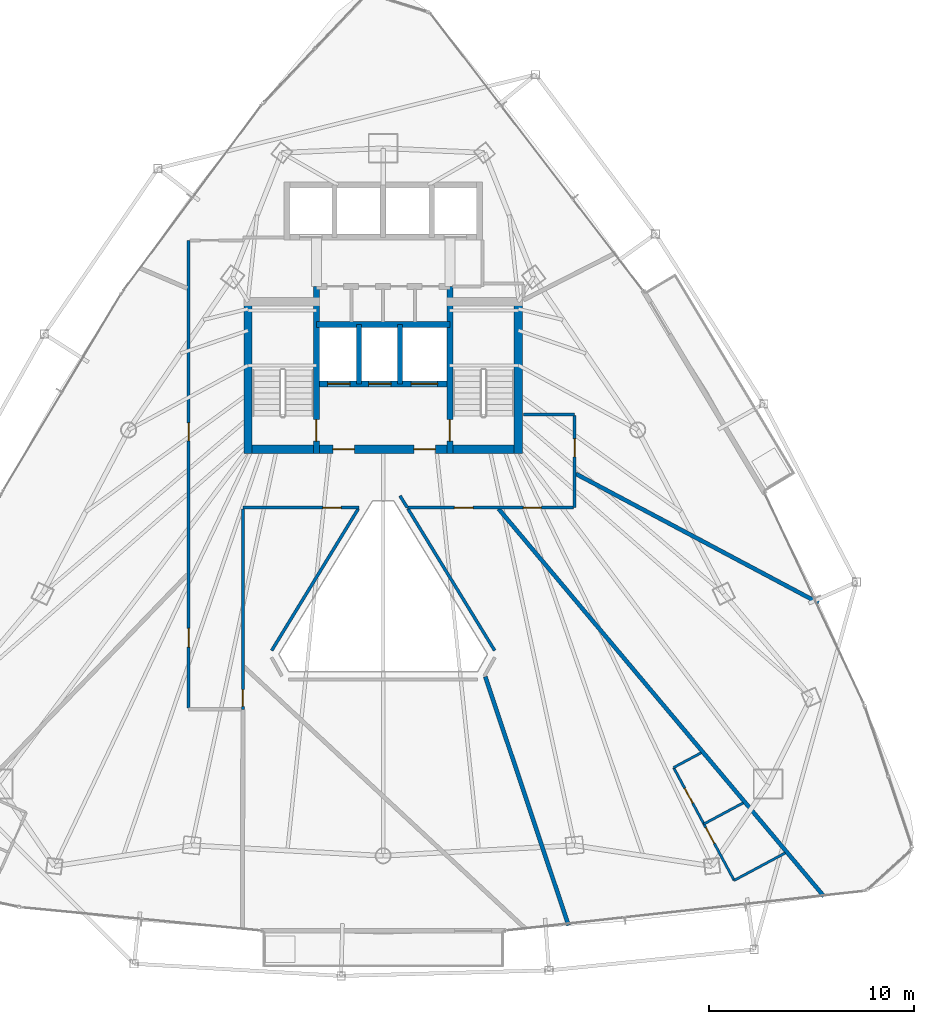
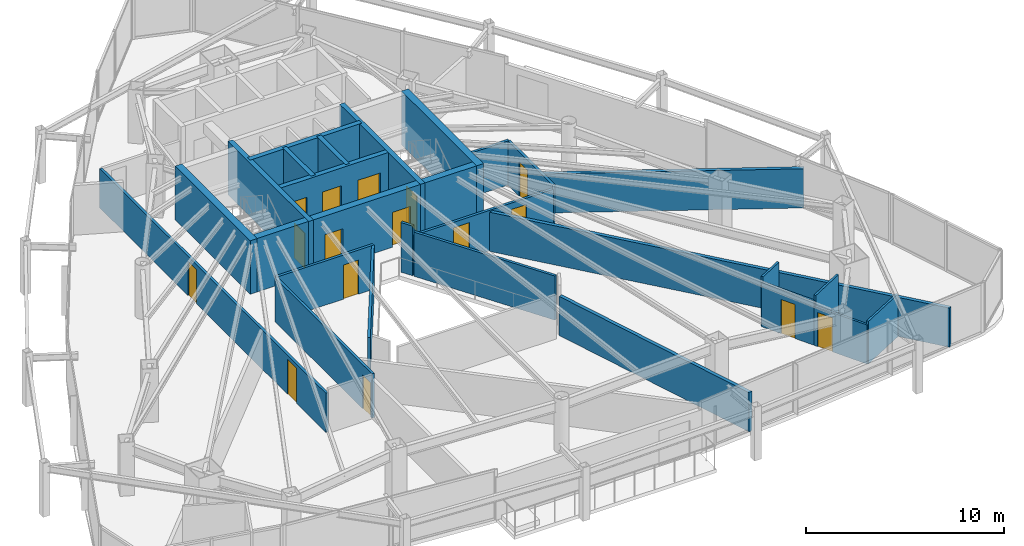
# One storey, part 27 of 31: 26 walls, 16 doors, 16 openings.
"""IFC4 building model written with IfcOpenShell, lengths in metres."""

import ifcopenshell
import ifcopenshell.guid

model = None  # the IFC model being written
_history = None  # IfcOwnerHistory: only IFC2X3 demands one
_inside = {}  # id of a spatial element -> (the spatial element, [elements in it])
_under = {}  # id of a project, library or spatial element -> (it, [spatial elements below it])
_declared = {}  # id of a project -> (the project, [libraries it declares])
_typed = {}  # id of a type object -> (the type object, [elements of that type])
_made_of = {}  # id of a material, layer set ... -> (it, [elements and type objects made of it])


def new_model(schema):
    """Start an empty IFC model of exactly this schema.

    Asked for "IFC4X3", IfcOpenShell would pick the latest addendum, in which some entities
    have other attributes; the version numbers below select the first issue.
    IFC2X3 requires an IfcOwnerHistory on every rooted entity: one is made here for all.
    """
    global model, _history
    if schema == "IFC4X3":
        model = ifcopenshell.file(schema_version=(4, 3, 0, 0))
    else:
        model = ifcopenshell.file(schema=schema)
    _inside.clear()
    _under.clear()
    _declared.clear()
    _typed.clear()
    _made_of.clear()
    _history = None
    if model.schema == "IFC2X3":
        org = make("IfcOrganization", Name="unknown")
        user = make(
            "IfcPersonAndOrganization",
            ThePerson=make("IfcPerson", FamilyName="unknown"),
            TheOrganization=org,
        )
        app = make(
            "IfcApplication",
            ApplicationDeveloper=org,
            Version="unknown",
            ApplicationFullName="unknown",
            ApplicationIdentifier="unknown",
        )
        _history = make(
            "IfcOwnerHistory",
            OwningUser=user,
            OwningApplication=app,
            ChangeAction="ADDED",
            CreationDate=0,
        )
    return model


def make(cls, **values):
    """One entity of the class cls with the attributes given. An attribute that is None is left unset."""
    return model.create_entity(
        cls, **{name: value for name, value in values.items() if value is not None}
    )


def rooted(cls, **values):
    """An entity with a GlobalId (a new one), such as an element, a storey or a relation."""
    return make(cls, GlobalId=ifcopenshell.guid.new(), OwnerHistory=_history, **values)


def si_unit(unit_type, name, prefix=None):
    """IfcSIUnit, for example si_unit("LENGTHUNIT", "METRE", prefix="MILLI")."""
    return make("IfcSIUnit", UnitType=unit_type, Prefix=prefix, Name=name)


def assignment(units):
    """IfcUnitAssignment: the units of a project."""
    return None if units is None else make("IfcUnitAssignment", Units=units)


def point(xyz):
    """IfcCartesianPoint."""
    return None if xyz is None else make("IfcCartesianPoint", Coordinates=xyz)


def direction(xyz):
    """IfcDirection."""
    return None if xyz is None else make("IfcDirection", DirectionRatios=xyz)


def frame(location, z_axis=None, x_axis=None):
    """IfcAxis2Placement3D, a coordinate frame: its origin and axes. An axis left out is left unset."""
    return make(
        "IfcAxis2Placement3D",
        Location=point(location),
        Axis=direction(z_axis),
        RefDirection=direction(x_axis),
    )


def frame_2d(location, x_axis=None):
    """IfcAxis2Placement2D, a coordinate frame in the plane: its origin and x axis."""
    return make(
        "IfcAxis2Placement2D", Location=point(location), RefDirection=direction(x_axis)
    )


def origin():
    """The frame at (0, 0, 0) with its axes left unset."""
    return frame((0.0, 0.0, 0.0))


def place(relative_to, where):
    """IfcLocalPlacement: puts the frame where relative to a parent placement (None: the world)."""
    return make(
        "IfcLocalPlacement", PlacementRelTo=relative_to, RelativePlacement=where
    )


def context(
    kind, dimensions, precision=None, world=None, true_north=None, identifier=None
):
    """IfcGeometricRepresentationContext, for example the 3D "Model" context."""
    return make(
        "IfcGeometricRepresentationContext",
        ContextIdentifier=identifier,
        ContextType=kind,
        CoordinateSpaceDimension=dimensions,
        Precision=precision,
        WorldCoordinateSystem=world,
        TrueNorth=true_north,
    )


def subcontext(parent, identifier, kind, view, scale=None):
    """IfcGeometricRepresentationSubContext, for example "Body" below "Model"."""
    return make(
        "IfcGeometricRepresentationSubContext",
        ContextIdentifier=identifier,
        ContextType=kind,
        ParentContext=parent,
        TargetScale=scale,
        TargetView=view,
    )


def project(units=None, contexts=None):
    """IfcProject with its units and contexts."""
    return rooted(
        "IfcProject",
        Name="project",
        RepresentationContexts=contexts,
        UnitsInContext=assignment(units),
    )


def spatial(cls, under=None, at=None, **own):
    """A site, building, storey or space (cls), placed at a placement, below another one or the project."""
    s = rooted(cls, ObjectPlacement=at, **own)
    if under is not None:
        _under.setdefault(under.id(), (under, []))[1].append(s)
    return s


def profile(cls, at=None, kind="AREA", **sizes):
    """A parametric profile (cls). Its sizes go by their IFC names, for example OverallWidth=200.0."""
    return make(cls, ProfileType=kind, Position=at, **sizes)


def rectangle(**sizes):
    """IfcRectangleProfileDef."""
    return profile("IfcRectangleProfileDef", **sizes)


def extrude(swept, where, along, depth):
    """IfcExtrudedAreaSolid: the profile swept, set in the frame where, extruded along a direction by depth."""
    return make(
        "IfcExtrudedAreaSolid",
        SweptArea=swept,
        Position=where,
        ExtrudedDirection=direction(along),
        Depth=depth,
    )


def shape(context_of_items, identifier, shape_type, items):
    """IfcShapeRepresentation: the items that make up one representation, for example the "Body"."""
    return make(
        "IfcShapeRepresentation",
        ContextOfItems=context_of_items,
        RepresentationIdentifier=identifier,
        RepresentationType=shape_type,
        Items=items,
    )


def material(Name=None, Category=None):
    """IfcMaterial."""
    return make("IfcMaterial", Name=Name, Category=Category)


def layer(
    of_material, thickness, ventilated=None, Name=None, Category=None, Priority=None
):
    """IfcMaterialLayer: one layer of a wall or slab, of a material (None: an air gap)."""
    return make(
        "IfcMaterialLayer",
        Material=of_material,
        LayerThickness=thickness,
        IsVentilated=ventilated,
        Name=Name,
        Category=Category,
        Priority=Priority,
    )


def layer_set(layers, Name=None):
    """IfcMaterialLayerSet."""
    return make("IfcMaterialLayerSet", MaterialLayers=layers, LayerSetName=Name)


def made_of(thing, what):
    """Note that an element or type object is made of a material, layer set ...; save() writes the relation."""
    if what is not None:
        _made_of.setdefault(what.id(), (what, []))[1].append(thing)
    return thing


def type_object(cls, material=None, **own):
    """A type object (cls), such as IfcWallType, which elements share."""
    return made_of(rooted(cls, **own), material)


def element(
    cls,
    number,
    at=None,
    inside=None,
    cuts=None,
    type_object=None,
    material=None,
    context=None,
    identifier="Body",
    shape_type=None,
    held_by="IfcProductDefinitionShape",
    body=None,
    shapes=None,
    **own,
):
    """One element of the class cls, such as IfcWall. Its Tag is "e" and its number.

    at: its placement. inside: the storey or other place that contains it. cuts: it is an
    opening in that element (IfcRelVoidsElement). A single representation is given by context,
    identifier, shape_type and body (its items); several are given by shapes. held_by: the class
    of the entity that holds the representations. save() writes the other relations.
    """
    e = rooted(cls, Tag="e%d" % number, ObjectPlacement=at, **own)
    if body is not None:
        shapes = [shape(context, identifier, shape_type, body)]
    if shapes is not None:
        e.Representation = make(held_by, Representations=shapes)
    if inside is not None:
        _inside.setdefault(inside.id(), (inside, []))[1].append(e)
    if cuts is not None:
        rooted(
            "IfcRelVoidsElement", RelatingBuildingElement=cuts, RelatedOpeningElement=e
        )
    if type_object is not None:
        _typed.setdefault(type_object.id(), (type_object, []))[1].append(e)
    return made_of(e, material)


def fill(opening, filler):
    """IfcRelFillsElement: the door or window that sits in an opening."""
    return rooted(
        "IfcRelFillsElement",
        RelatingOpeningElement=opening,
        RelatedBuildingElement=filler,
    )


def aggregate(whole, parts):
    """IfcRelAggregates: a whole, such as a stair, and the parts it consists of."""
    return rooted("IfcRelAggregates", RelatingObject=whole, RelatedObjects=parts)


def save(model, path):
    """Write the relations noted so far, then the file.

    IfcRelAggregates (storeys below a building ...), IfcRelContainedInSpatialStructure (elements
    in a storey), IfcRelDefinesByType, IfcRelAssociatesMaterial and IfcRelDeclares: one each for
    every whole, place, type object, material and project.
    """
    for whole, parts in _under.values():
        aggregate(whole, parts)
    for where, things in _inside.values():
        rooted(
            "IfcRelContainedInSpatialStructure",
            RelatedElements=things,
            RelatingStructure=where,
        )
    for kind, things in _typed.values():
        rooted("IfcRelDefinesByType", RelatedObjects=things, RelatingType=kind)
    for what, things in _made_of.values():
        rooted("IfcRelAssociatesMaterial", RelatedObjects=things, RelatingMaterial=what)
    for by, libraries in _declared.values():
        rooted("IfcRelDeclares", RelatingContext=by, RelatedDefinitions=libraries)
    model.write(path)


model = new_model("IFC4")

# Units and contexts
model_context = context("Model", 3, precision=1e-05, world=origin(), true_north=direction((0.0, 1.0)))
body_context = subcontext(model_context, "Body", "Model", "MODEL_VIEW")
ifc_project = project(units=[si_unit("LENGTHUNIT", "METRE"), si_unit("AREAUNIT", "SQUARE_METRE"), si_unit("VOLUMEUNIT", "CUBIC_METRE"), si_unit("PLANEANGLEUNIT", "RADIAN"), si_unit("MASSUNIT", "GRAM", prefix="KILO")], contexts=[model_context])

# Site, building, storey
site_placement = place(None, origin())
site = spatial("IfcSite", under=ifc_project, at=site_placement, CompositionType="ELEMENT")
building_placement = place(site_placement, origin())
building = spatial("IfcBuilding", under=site, at=building_placement, Name="Orvanel Arch Residences", CompositionType="ELEMENT")
storey_placement = place(building_placement, frame((0.0, 0.0, 129.800048828125)))
storey = spatial("IfcBuildingStorey", under=building, at=storey_placement, Name="L36", CompositionType="ELEMENT", Elevation=129.800048828125)

# Walls
ifc_material_1 = material(Name="Concrete N50 (50 MPa)", Category="concrete")
ifc_layer_1 = layer(ifc_material_1, 0.25)
ifc_layer_set_1 = layer_set([ifc_layer_1], Name="Concrete N50 (50 MPa)")
wall_type_1 = type_object("IfcWallType", Name="SW-CORE-250", PredefinedType="SHEAR", material=ifc_layer_set_1)
for number, where, z_axis, x_axis, name in (
    (1, (31.824951171875, 29.889892578125, 0.0), (0.0, 0.0, 1.0), (0.0, 1.0, 0.0), "L36 Emergency Lift Inter-Shaft Wall F12"),
    (2, (33.824951171875, 29.889892578125, 0.0), (0.0, 0.0, 1.0), (0.0, 1.0, 0.0), "L36 Emergency Lift Inter-Shaft Wall F2G"),
):
    element("IfcWall", number, at=place(storey_placement, frame(where, z_axis=z_axis, x_axis=x_axis)), inside=storey, type_object=wall_type_1, Name=name, PredefinedType="SHEAR", context=body_context, shape_type="SweptSolid", body=[
        extrude(rectangle(XDim=2.900146484375, YDim=0.25, at=frame_2d((1.4501953125, 0.0))), origin(), (0.0, 0.0, 1.0), 3.300048828125),
    ])

# Wall, opening, door
ifc_material_2 = material(Name="Concrete S65 (65 MPa)", Category="concrete")
ifc_layer_2 = layer(ifc_material_2, 0.280029296875)
ifc_layer_set_2 = layer_set([ifc_layer_2], Name="Concrete S65 (65 MPa)")
wall_type_2 = type_object("IfcWallType", Name="SW-CORE-280", PredefinedType="SHEAR", material=ifc_layer_set_2)
wall_1_placement = place(storey_placement, frame((29.739990234375, 26.5, 0.0), z_axis=(0.0, 0.0, 1.0), x_axis=(0.0, 1.0, 0.0)))
wall_1 = element("IfcWall", 3, at=wall_1_placement, inside=storey, type_object=wall_type_2, Name="L36 West Inner Core Spine Shear Wall", PredefinedType="SHEAR", context=body_context, shape_type="SweptSolid", body=[
    extrude(rectangle(XDim=8.14990234375, YDim=0.280029296875, at=frame_2d((4.074951171875, 0.0))), origin(), (0.0, 0.0, 1.0), 3.300048828125),
])
opening_1_placement = place(wall_1_placement, frame((0.60009765625, 0.0, 0.0)))
opening_1 = element("IfcOpeningElement", 4, at=opening_1_placement, cuts=wall_1, Name="Opening DF-120", PredefinedType="OPENING", context=body_context, shape_type="SweptSolid", body=[
    extrude(rectangle(XDim=1.050048828125, YDim=2.14990234375, at=frame_2d((0.52490234375, 1.074951171875))), frame((0.0, 0.14990234375, 0.0), z_axis=(0.0, -1.0, 0.0), x_axis=(1.0, 0.0, 0.0)), (0.0, 0.0, 1.0), 0.300048828125),
])
ifc_material_3 = material(Name="Galvanised steel fire-resisting door assembly", Category="steel")
door_type_1 = type_object("IfcDoorType", Name="DR-FD120-1050", OperationType="NOTDEFINED", PredefinedType="DOOR", material=ifc_material_3)
door_1_placement = place(opening_1_placement, origin())
door_1 = element("IfcDoor", 5, at=door_1_placement, inside=storey, type_object=door_type_1, Name="DR-L36-ST1 L36 Stair 1 Fire Door", OperationType="SINGLE_SWING_LEFT", OverallHeight=2.14990234375, OverallWidth=1.050048828125, PredefinedType="DOOR", context=body_context, shape_type="SweptSolid", body=[
    extrude(rectangle(XDim=1.050048828125, YDim=2.14990234375, at=frame_2d((0.52490234375, 1.074951171875))), frame((0.0, 0.02490234375, 0.0), z_axis=(0.0, -1.0, 0.0), x_axis=(1.0, 0.0, 0.0)), (0.0, 0.0, 1.0), 0.050048828125),
])
fill(opening_1, door_1)

wall_2_placement = place(storey_placement, frame((36.260009765625, 26.5, 0.0), z_axis=(0.0, 0.0, 1.0), x_axis=(0.0, 1.0, 0.0)))
wall_2 = element("IfcWall", 6, at=wall_2_placement, inside=storey, type_object=wall_type_2, Name="L36 East Inner Core Spine Shear Wall", PredefinedType="SHEAR", context=body_context, shape_type="SweptSolid", body=[
    extrude(rectangle(XDim=8.14990234375, YDim=0.280029296875, at=frame_2d((4.074951171875, 0.0))), origin(), (0.0, 0.0, 1.0), 3.300048828125),
])
opening_2_placement = place(wall_2_placement, frame((0.60009765625, 0.0, 0.0)))
opening_2 = element("IfcOpeningElement", 7, at=opening_2_placement, cuts=wall_2, Name="Opening DF-120", PredefinedType="OPENING", context=body_context, shape_type="SweptSolid", body=[
    extrude(rectangle(XDim=1.050048828125, YDim=2.14990234375, at=frame_2d((0.52490234375, 1.074951171875))), frame((0.0, 0.14990234375, 0.0), z_axis=(0.0, -1.0, 0.0), x_axis=(1.0, 0.0, 0.0)), (0.0, 0.0, 1.0), 0.300048828125),
])
door_2_placement = place(opening_2_placement, origin())
door_2 = element("IfcDoor", 8, at=door_2_placement, inside=storey, type_object=door_type_1, Name="DR-L36-ST2 L36 Stair 2 Fire Door", OperationType="SINGLE_SWING_RIGHT", OverallHeight=2.14990234375, OverallWidth=1.050048828125, PredefinedType="DOOR", context=body_context, shape_type="SweptSolid", body=[
    extrude(rectangle(XDim=1.050048828125, YDim=2.14990234375, at=frame_2d((0.52490234375, 1.074951171875))), frame((0.0, 0.02490234375, 0.0), z_axis=(0.0, -1.0, 0.0), x_axis=(1.0, 0.0, 0.0)), (0.0, 0.0, 1.0), 0.050048828125),
])
fill(opening_2, door_2)

# Wall, openings, doors
wall_3_placement = place(storey_placement, frame((36.260009765625, 29.889892578125, 0.0), z_axis=(0.0, 0.0, 1.0), x_axis=(-1.0, 0.0, 0.0)))
wall_3 = element("IfcWall", 9, at=wall_3_placement, inside=storey, type_object=wall_type_2, Name="L36 Emergency Lift Front Core Shear Wall", PredefinedType="SHEAR", context=body_context, shape_type="SweptSolid", body=[
    extrude(rectangle(XDim=6.52001953125, YDim=0.280029296875, at=frame_2d((3.260009765625, 0.0))), origin(), (0.0, 0.0, 1.0), 3.300048828125),
])
opening_3_placement = place(wall_3_placement, frame((4.875, 0.0, 0.0)))
opening_3 = element("IfcOpeningElement", 10, at=opening_3_placement, cuts=wall_3, Name="Opening LD-110", PredefinedType="OPENING", context=body_context, shape_type="SweptSolid", body=[
    extrude(rectangle(XDim=1.10009765625, YDim=2.199951171875, at=frame_2d((0.550048828125, 1.10009765625))), frame((0.0, 0.14990234375, 0.0), z_axis=(0.0, -1.0, 0.0), x_axis=(1.0, 0.0, 0.0)), (0.0, 0.0, 1.0), 0.300048828125),
])
opening_4_placement = place(wall_3_placement, frame((2.875, 0.0, 0.0)))
opening_4 = element("IfcOpeningElement", 11, at=opening_4_placement, cuts=wall_3, Name="Opening LD-110", PredefinedType="OPENING", context=body_context, shape_type="SweptSolid", body=[
    extrude(rectangle(XDim=1.10009765625, YDim=2.199951171875, at=frame_2d((0.550048828125, 1.10009765625))), frame((0.0, 0.14990234375, 0.0), z_axis=(0.0, -1.0, 0.0), x_axis=(1.0, 0.0, 0.0)), (0.0, 0.0, 1.0), 0.300048828125),
])
opening_5_placement = place(wall_3_placement, frame((0.60009765625, 0.0, 0.0)))
opening_5 = element("IfcOpeningElement", 12, at=opening_5_placement, cuts=wall_3, Name="Opening LD-130", PredefinedType="OPENING", context=body_context, shape_type="SweptSolid", body=[
    extrude(rectangle(XDim=1.300048828125, YDim=2.199951171875, at=frame_2d((0.64990234375, 1.10009765625))), frame((0.0, 0.14990234375, 0.0), z_axis=(0.0, -1.0, 0.0), x_axis=(1.0, 0.0, 0.0)), (0.0, 0.0, 1.0), 0.300048828125),
])
door_type_2 = type_object("IfcDoorType", Name="DR-LFT-1100", OperationType="NOTDEFINED", PredefinedType="DOOR", material=ifc_material_3)
door_3_placement = place(opening_3_placement, origin())
door_3 = element("IfcDoor", 13, at=door_3_placement, inside=storey, type_object=door_type_2, Name="LD-F1-L36 L36 Lift F1 Sliding Landing Door", OperationType="DOUBLE_DOOR_SLIDING", OverallHeight=2.199951171875, OverallWidth=1.10009765625, PredefinedType="DOOR", context=body_context, shape_type="SweptSolid", body=[
    extrude(rectangle(XDim=1.10009765625, YDim=2.199951171875, at=frame_2d((0.550048828125, 1.10009765625))), frame((0.0, 0.02490234375, 0.0), z_axis=(0.0, -1.0, 0.0), x_axis=(1.0, 0.0, 0.0)), (0.0, 0.0, 1.0), 0.050048828125),
])
fill(opening_3, door_3)
door_4_placement = place(opening_4_placement, origin())
door_4 = element("IfcDoor", 14, at=door_4_placement, inside=storey, type_object=door_type_2, Name="LD-F2-L36 L36 Lift F2 Sliding Landing Door", OperationType="DOUBLE_DOOR_SLIDING", OverallHeight=2.199951171875, OverallWidth=1.10009765625, PredefinedType="DOOR", context=body_context, shape_type="SweptSolid", body=[
    extrude(rectangle(XDim=1.10009765625, YDim=2.199951171875, at=frame_2d((0.550048828125, 1.10009765625))), frame((0.0, 0.02490234375, 0.0), z_axis=(0.0, -1.0, 0.0), x_axis=(1.0, 0.0, 0.0)), (0.0, 0.0, 1.0), 0.050048828125),
])
fill(opening_4, door_4)
door_type_3 = type_object("IfcDoorType", Name="DR-LFT-1300", OperationType="NOTDEFINED", PredefinedType="DOOR", material=ifc_material_3)
door_5_placement = place(opening_5_placement, origin())
door_5 = element("IfcDoor", 15, at=door_5_placement, inside=storey, type_object=door_type_3, Name="LD-G1-L36 L36 Lift G1 Sliding Landing Door", OperationType="DOUBLE_DOOR_SLIDING", OverallHeight=2.199951171875, OverallWidth=1.300048828125, PredefinedType="DOOR", context=body_context, shape_type="SweptSolid", body=[
    extrude(rectangle(XDim=1.300048828125, YDim=2.199951171875, at=frame_2d((0.64990234375, 1.10009765625))), frame((0.0, 0.02490234375, 0.0), z_axis=(0.0, -1.0, 0.0), x_axis=(1.0, 0.0, 0.0)), (0.0, 0.0, 1.0), 0.050048828125),
])
fill(opening_5, door_5)

# Wall
wall_4_placement = place(storey_placement, frame((29.739990234375, 32.7900390625, 0.0), z_axis=(0.0, 0.0, 1.0), x_axis=(1.0, 0.0, 0.0)))
element("IfcWall", 16, at=wall_4_placement, inside=storey, type_object=wall_type_2, Name="L36 Emergency Lift Back Core Shear Wall", PredefinedType="SHEAR", context=body_context, shape_type="SweptSolid", body=[
    extrude(rectangle(XDim=6.52001953125, YDim=0.280029296875, at=frame_2d((3.260009765625, 0.0))), origin(), (0.0, 0.0, 1.0), 3.300048828125),
])

# Wall, openings, doors
ifc_layer_3 = layer(ifc_material_2, 0.39990234375)
ifc_layer_set_3 = layer_set([ifc_layer_3], Name="Concrete S65 (65 MPa)")
wall_type_3 = type_object("IfcWallType", Name="SW-CORE-400", PredefinedType="SHEAR", material=ifc_layer_set_3)
wall_5_placement = place(storey_placement, frame((26.199951171875, 26.699951171875, 0.0), z_axis=(0.0, 0.0, 1.0), x_axis=(1.0, 0.0, 0.0)))
wall_5 = element("IfcWall", 17, at=wall_5_placement, inside=storey, type_object=wall_type_3, Name="L36 South Core Shear Wall", PredefinedType="SHEAR", context=body_context, shape_type="SweptSolid", body=[
    extrude(rectangle(XDim=13.60009765625, YDim=0.39990234375, at=frame_2d((6.800048828125, 0.0))), origin(), (0.0, 0.0, 1.0), 3.300048828125),
])
opening_6_placement = place(wall_5_placement, frame((4.35009765625, 0.0, 0.0)))
opening_6 = element("IfcOpeningElement", 18, at=opening_6_placement, cuts=wall_5, Name="Opening DF-060", PredefinedType="OPENING", context=body_context, shape_type="SweptSolid", body=[
    extrude(rectangle(XDim=1.050048828125, YDim=2.14990234375, at=frame_2d((0.52490234375, 1.074951171875))), frame((0.0, 0.2099609375, 0.0), z_axis=(0.0, -1.0, 0.0), x_axis=(1.0, 0.0, 0.0)), (0.0, 0.0, 1.0), 0.419921875),
])
opening_7_placement = place(wall_5_placement, frame((8.300048828125, 0.0, 0.0)))
opening_7 = element("IfcOpeningElement", 19, at=opening_7_placement, cuts=wall_5, Name="Opening DF-060", PredefinedType="OPENING", context=body_context, shape_type="SweptSolid", body=[
    extrude(rectangle(XDim=1.050048828125, YDim=2.14990234375, at=frame_2d((0.52490234375, 1.074951171875))), frame((0.0, 0.2099609375, 0.0), z_axis=(0.0, -1.0, 0.0), x_axis=(1.0, 0.0, 0.0)), (0.0, 0.0, 1.0), 0.419921875),
])
door_type_4 = type_object("IfcDoorType", Name="DR-FD60-1050", OperationType="NOTDEFINED", PredefinedType="DOOR", material=ifc_material_3)
door_6_placement = place(opening_6_placement, origin())
door_6 = element("IfcDoor", 20, at=door_6_placement, inside=storey, type_object=door_type_4, Name="DR-L36-FFL-W L36 West Smoke Lobby Door", OperationType="SINGLE_SWING_LEFT", OverallHeight=2.14990234375, OverallWidth=1.050048828125, PredefinedType="DOOR", context=body_context, shape_type="SweptSolid", body=[
    extrude(rectangle(XDim=1.050048828125, YDim=2.14990234375, at=frame_2d((0.52490234375, 1.074951171875))), frame((0.0, 0.02490234375, 0.0), z_axis=(0.0, -1.0, 0.0), x_axis=(1.0, 0.0, 0.0)), (0.0, 0.0, 1.0), 0.050048828125),
])
fill(opening_6, door_6)
door_7_placement = place(opening_7_placement, origin())
door_7 = element("IfcDoor", 21, at=door_7_placement, inside=storey, type_object=door_type_4, Name="DR-L36-FFL-E L36 East Smoke Lobby Door", OperationType="SINGLE_SWING_RIGHT", OverallHeight=2.14990234375, OverallWidth=1.050048828125, PredefinedType="DOOR", context=body_context, shape_type="SweptSolid", body=[
    extrude(rectangle(XDim=1.050048828125, YDim=2.14990234375, at=frame_2d((0.52490234375, 1.074951171875))), frame((0.0, 0.02490234375, 0.0), z_axis=(0.0, -1.0, 0.0), x_axis=(1.0, 0.0, 0.0)), (0.0, 0.0, 1.0), 0.050048828125),
])
fill(opening_7, door_7)

# Walls
for number, where, z_axis, x_axis, name in (
    (22, (26.39990234375, 26.5, 0.0), (0.0, 0.0, 1.0), (0.0, 1.0, 0.0), "L36 West Stair Shear Wall"),
    (23, (39.60009765625, 26.5, 0.0), (0.0, 0.0, 1.0), (0.0, 1.0, 0.0), "L36 East Stair Shear Wall"),
):
    element("IfcWall", number, at=place(storey_placement, frame(where, z_axis=z_axis, x_axis=x_axis)), inside=storey, type_object=wall_type_3, Name=name, PredefinedType="SHEAR", context=body_context, shape_type="SweptSolid", body=[
        extrude(rectangle(XDim=7.60009765625, YDim=0.39990234375, at=frame_2d((3.800048828125, 0.0))), origin(), (0.0, 0.0, 1.0), 3.300048828125),
    ])

# Wall, opening, door
ifc_material_4 = material(Name="Fire-rated plasterboard lined steel stud partition", Category="steel")
ifc_layer_4 = layer(ifc_material_4, 0.14990234375)
ifc_layer_set_4 = layer_set([ifc_layer_4], Name="Fire-rated plasterboard lined steel stud partition")
wall_type_4 = type_object("IfcWallType", Name="W-COR-150", PredefinedType="PARTITIONING", material=ifc_layer_set_4)
wall_6_placement = place(storey_placement, frame((31.821044921875, 23.85009765625, 0.0), z_axis=(0.0, 0.0, 1.0), x_axis=(-1.0, 0.0, 0.0)))
wall_6 = element("IfcWall", 24, at=wall_6_placement, inside=storey, type_object=wall_type_4, Name="L36 Corridor Fire-Rated Partition", PredefinedType="PARTITIONING", context=body_context, shape_type="SweptSolid", body=[
    extrude(rectangle(XDim=5.671142578125, YDim=0.14990234375, at=frame_2d((2.83544921875, 0.0))), origin(), (0.0, 0.0, 1.0), 2.720947265625),
])
opening_8_placement = place(wall_6_placement, frame((0.8798828125, 0.0, 0.0)))
opening_8 = element("IfcOpeningElement", 25, at=opening_8_placement, cuts=wall_6, Name="Opening DI-088", PredefinedType="OPENING", context=body_context, shape_type="SweptSolid", body=[
    extrude(rectangle(XDim=0.8798828125, YDim=2.10009765625, at=frame_2d((0.43994140625, 1.050048828125))), frame((0.0, 0.0849609375, 0.0), z_axis=(0.0, -1.0, 0.0), x_axis=(1.0, 0.0, 0.0)), (0.0, 0.0, 1.0), 0.169921875),
])
ifc_material_5 = material(Name="Solid-core European oak veneer fire door leaf", Category="wood")
door_type_5 = type_object("IfcDoorType", Name="DR-INT-880", OperationType="NOTDEFINED", PredefinedType="DOOR", material=ifc_material_5)
door_8_placement = place(opening_8_placement, origin())
door_8 = element("IfcDoor", 26, at=door_8_placement, inside=storey, type_object=door_type_5, Name="DR-L36-SHRD-FB5 L36 Co-Working Study Office E Door", OperationType="SINGLE_SWING_LEFT", OverallHeight=2.10009765625, OverallWidth=0.8798828125, PredefinedType="DOOR", context=body_context, shape_type="SweptSolid", body=[
    extrude(rectangle(XDim=0.8798828125, YDim=2.10009765625, at=frame_2d((0.43994140625, 1.050048828125))), frame((0.0, 0.02490234375, 0.0), z_axis=(0.0, -1.0, 0.0), x_axis=(1.0, 0.0, 0.0)), (0.0, 0.0, 1.0), 0.050048828125),
])
fill(opening_8, door_8)

wall_7_placement = place(storey_placement, frame((26.14990234375, 23.7900390625, 0.0), z_axis=(0.0, 0.0, 1.0), x_axis=(0.0, -1.0, 0.0)))
wall_7 = element("IfcWall", 27, at=wall_7_placement, inside=storey, type_object=wall_type_4, Name="L36 Corridor Fire-Rated Partition", PredefinedType="PARTITIONING", context=body_context, shape_type="SweptSolid", body=[
    extrude(rectangle(XDim=9.7900390625, YDim=0.14990234375, at=frame_2d((4.89501953125, 0.0))), origin(), (0.0, 0.0, 1.0), 2.720947265625),
])
opening_9_placement = place(wall_7_placement, frame((8.830078125, 0.0, 0.0)))
opening_9 = element("IfcOpeningElement", 28, at=opening_9_placement, cuts=wall_7, Name="Opening DW-082", PredefinedType="OPENING", context=body_context, shape_type="SweptSolid", body=[
    extrude(rectangle(XDim=0.820068359375, YDim=2.10009765625, at=frame_2d((0.41015625, 1.050048828125))), frame((0.0, 0.0849609375, 0.0), z_axis=(0.0, -1.0, 0.0), x_axis=(1.0, 0.0, 0.0)), (0.0, 0.0, 1.0), 0.169921875),
])
door_type_6 = type_object("IfcDoorType", Name="DR-WET-820", OperationType="NOTDEFINED", PredefinedType="DOOR", material=ifc_material_5)
door_9_placement = place(opening_9_placement, origin())
door_9 = element("IfcDoor", 29, at=door_9_placement, inside=storey, type_object=door_type_6, Name="DR-L36-SHRD-FB6 L36 Co-Working Study Office F Door", OperationType="SINGLE_SWING_LEFT", OverallHeight=2.10009765625, OverallWidth=0.820068359375, PredefinedType="DOOR", context=body_context, shape_type="SweptSolid", body=[
    extrude(rectangle(XDim=0.820068359375, YDim=2.10009765625, at=frame_2d((0.41015625, 1.050048828125))), frame((0.0, 0.02490234375, 0.0), z_axis=(0.0, -1.0, 0.0), x_axis=(1.0, 0.0, 0.0)), (0.0, 0.0, 1.0), 0.050048828125),
])
fill(opening_9, door_9)

# Wall, openings, doors
wall_8_placement = place(storey_placement, frame((23.5, 14.06005859375, 0.0), z_axis=(0.0, 0.0, 1.0), x_axis=(0.0, 1.0, 0.0)))
wall_8 = element("IfcWall", 30, at=wall_8_placement, inside=storey, type_object=wall_type_4, Name="L36 Corridor Fire-Rated Partition", PredefinedType="PARTITIONING", context=body_context, shape_type="SweptSolid", body=[
    extrude(rectangle(XDim=22.83984375, YDim=0.14990234375, at=frame_2d((11.419921875, 0.0))), origin(), (0.0, 0.0, 1.0), 2.412841796875),
])
opening_10_placement = place(wall_8_placement, frame((13.044921875, 0.0, 0.0)))
opening_10 = element("IfcOpeningElement", 31, at=opening_10_placement, cuts=wall_8, Name="Opening DI-088", PredefinedType="OPENING", context=body_context, shape_type="SweptSolid", body=[
    extrude(rectangle(XDim=0.8798828125, YDim=2.10009765625, at=frame_2d((0.43994140625, 1.050048828125))), frame((0.0, 0.0849609375, 0.0), z_axis=(0.0, -1.0, 0.0), x_axis=(1.0, 0.0, 0.0)), (0.0, 0.0, 1.0), 0.169921875),
])
opening_11_placement = place(wall_8_placement, frame((2.97705078125, 0.0, 0.0)))
opening_11 = element("IfcOpeningElement", 32, at=opening_11_placement, cuts=wall_8, Name="Opening DA-092", PredefinedType="OPENING", context=body_context, shape_type="SweptSolid", body=[
    extrude(rectangle(XDim=0.919921875, YDim=2.14990234375, at=frame_2d((0.4599609375, 1.074951171875))), frame((0.0, 0.0849609375, 0.0), z_axis=(0.0, -1.0, 0.0), x_axis=(1.0, 0.0, 0.0)), (0.0, 0.0, 1.0), 0.169921875),
])
door_type_7 = type_object("IfcDoorType", Name="DR-APT-920", OperationType="NOTDEFINED", PredefinedType="DOOR", material=ifc_material_5)
door_10_placement = place(opening_11_placement, origin())
door_10 = element("IfcDoor", 33, at=door_10_placement, inside=storey, type_object=door_type_7, Name="DR-L36-B-ENT L36 Studio B Entrance Door", OperationType="SINGLE_SWING_LEFT", OverallHeight=2.14990234375, OverallWidth=0.919921875, PredefinedType="DOOR", context=body_context, shape_type="SweptSolid", body=[
    extrude(rectangle(XDim=0.919921875, YDim=2.14990234375, at=frame_2d((0.4599609375, 1.074951171875))), frame((0.0, 0.02490234375, 0.0), z_axis=(0.0, -1.0, 0.0), x_axis=(1.0, 0.0, 0.0)), (0.0, 0.0, 1.0), 0.050048828125),
])
fill(opening_11, door_10)
door_11_placement = place(opening_10_placement, origin())
door_11 = element("IfcDoor", 34, at=door_11_placement, inside=storey, type_object=door_type_5, Name="DR-L36-RET35-1 L36 Boutique Showroom 1 Door", OperationType="SINGLE_SWING_LEFT", OverallHeight=2.10009765625, OverallWidth=0.8798828125, PredefinedType="DOOR", context=body_context, shape_type="SweptSolid", body=[
    extrude(rectangle(XDim=0.8798828125, YDim=2.10009765625, at=frame_2d((0.43994140625, 1.050048828125))), frame((0.0, 0.02490234375, 0.0), z_axis=(0.0, -1.0, 0.0), x_axis=(1.0, 0.0, 0.0)), (0.0, 0.0, 1.0), 0.050048828125),
])
fill(opening_10, door_11)

# Wall
wall_9_placement = place(storey_placement, frame((39.85009765625, 28.39990234375, 0.0), z_axis=(0.0, 0.0, 1.0), x_axis=(1.0, 0.0, 0.0)))
element("IfcWall", 35, at=wall_9_placement, inside=storey, type_object=wall_type_4, Name="L36 Corridor Fire-Rated Partition", PredefinedType="PARTITIONING", context=body_context, shape_type="SweptSolid", body=[
    extrude(rectangle(XDim=2.5, YDim=0.14990234375, at=frame_2d((1.25, 0.0))), origin(), (0.0, 0.0, 1.0), 2.720947265625),
])

# Wall, opening, door
wall_10_placement = place(storey_placement, frame((42.35009765625, 28.340087890625, 0.0), z_axis=(0.0, 0.0, 1.0), x_axis=(0.0, -1.0, 0.0)))
wall_10 = element("IfcWall", 36, at=wall_10_placement, inside=storey, type_object=wall_type_4, Name="L36 Corridor Fire-Rated Partition", PredefinedType="PARTITIONING", context=body_context, shape_type="SweptSolid", body=[
    extrude(rectangle(XDim=4.489990234375, YDim=0.14990234375, at=frame_2d((2.2451171875, 0.0))), origin(), (0.0, 0.0, 1.0), 2.720947265625),
])
opening_12_placement = place(wall_10_placement, frame((1.1298828125, 0.0, 0.0)))
opening_12 = element("IfcOpeningElement", 37, at=opening_12_placement, cuts=wall_10, Name="Opening DI-088", PredefinedType="OPENING", context=body_context, shape_type="SweptSolid", body=[
    extrude(rectangle(XDim=0.8798828125, YDim=2.10009765625, at=frame_2d((0.43994140625, 1.050048828125))), frame((0.0, 0.0849609375, 0.0), z_axis=(0.0, -1.0, 0.0), x_axis=(1.0, 0.0, 0.0)), (0.0, 0.0, 1.0), 0.169921875),
])
door_12_placement = place(opening_12_placement, origin())
door_12 = element("IfcDoor", 38, at=door_12_placement, inside=storey, type_object=door_type_5, Name="DR-L36-SHRD-FB4 L36 Co-Working Study Office D Door", OperationType="SINGLE_SWING_LEFT", OverallHeight=2.10009765625, OverallWidth=0.8798828125, PredefinedType="DOOR", context=body_context, shape_type="SweptSolid", body=[
    extrude(rectangle(XDim=0.8798828125, YDim=2.10009765625, at=frame_2d((0.43994140625, 1.050048828125))), frame((0.0, 0.02490234375, 0.0), z_axis=(0.0, -1.0, 0.0), x_axis=(1.0, 0.0, 0.0)), (0.0, 0.0, 1.0), 0.050048828125),
])
fill(opening_12, door_12)

# Wall, openings, doors
wall_11_placement = place(storey_placement, frame((42.2900390625, 23.85009765625, 0.0), z_axis=(0.0, 0.0, 1.0), x_axis=(-1.0, 0.0, 0.0)))
wall_11 = element("IfcWall", 39, at=wall_11_placement, inside=storey, type_object=wall_type_4, Name="L36 Corridor Fire-Rated Partition", PredefinedType="PARTITIONING", context=body_context, shape_type="SweptSolid", body=[
    extrude(rectangle(XDim=8.111083984375, YDim=0.14990234375, at=frame_2d((4.0556640625, 0.0))), origin(), (0.0, 0.0, 1.0), 2.491943359375),
])
opening_13_placement = place(wall_11_placement, frame((1.56298828125, 0.0, 0.0)))
opening_13 = element("IfcOpeningElement", 40, at=opening_13_placement, cuts=wall_11, Name="Opening DI-088", PredefinedType="OPENING", context=body_context, shape_type="SweptSolid", body=[
    extrude(rectangle(XDim=0.8798828125, YDim=2.10009765625, at=frame_2d((0.43994140625, 1.050048828125))), frame((0.0, 0.0849609375, 0.0), z_axis=(0.0, -1.0, 0.0), x_axis=(1.0, 0.0, 0.0)), (0.0, 0.0, 1.0), 0.169921875),
])
opening_14_placement = place(wall_11_placement, frame((4.89208984375, 0.0, 0.0)))
opening_14 = element("IfcOpeningElement", 41, at=opening_14_placement, cuts=wall_11, Name="Opening DA-092", PredefinedType="OPENING", context=body_context, shape_type="SweptSolid", body=[
    extrude(rectangle(XDim=0.919921875, YDim=2.14990234375, at=frame_2d((0.4599609375, 1.074951171875))), frame((0.0, 0.0849609375, 0.0), z_axis=(0.0, -1.0, 0.0), x_axis=(1.0, 0.0, 0.0)), (0.0, 0.0, 1.0), 0.169921875),
])
door_13_placement = place(opening_14_placement, origin())
door_13 = element("IfcDoor", 42, at=door_13_placement, inside=storey, type_object=door_type_7, Name="DR-L36-A-ENT L36 Studio A Entrance Door", OperationType="SINGLE_SWING_RIGHT", OverallHeight=2.14990234375, OverallWidth=0.919921875, PredefinedType="DOOR", context=body_context, shape_type="SweptSolid", body=[
    extrude(rectangle(XDim=0.919921875, YDim=2.14990234375, at=frame_2d((0.4599609375, 1.074951171875))), frame((0.0, 0.02490234375, 0.0), z_axis=(0.0, -1.0, 0.0), x_axis=(1.0, 0.0, 0.0)), (0.0, 0.0, 1.0), 0.050048828125),
])
fill(opening_14, door_13)
door_14_placement = place(opening_13_placement, origin())
door_14 = element("IfcDoor", 43, at=door_14_placement, inside=storey, type_object=door_type_5, Name="DR-L36-RET35-2 L36 Boutique Showroom 2 Door", OperationType="SINGLE_SWING_LEFT", OverallHeight=2.10009765625, OverallWidth=0.8798828125, PredefinedType="DOOR", context=body_context, shape_type="SweptSolid", body=[
    extrude(rectangle(XDim=0.8798828125, YDim=2.10009765625, at=frame_2d((0.43994140625, 1.050048828125))), frame((0.0, 0.02490234375, 0.0), z_axis=(0.0, -1.0, 0.0), x_axis=(1.0, 0.0, 0.0)), (0.0, 0.0, 1.0), 0.050048828125),
])
fill(opening_13, door_14)

# Walls
wall_12_placement = place(storey_placement, frame((34.178955078125, 23.85009765625, 0.0), z_axis=(0.0, 0.0, 1.0), x_axis=(-0.527828834635, 0.849350764601, 0.0)))
element("IfcWall", 44, at=wall_12_placement, inside=storey, type_object=wall_type_4, Name="L36 Corridor Fire-Rated Partition", PredefinedType="PARTITIONING", context=body_context, shape_type="SweptSolid", body=[
    extrude(rectangle(XDim=0.677978515625, YDim=0.14990234375, at=frame_2d((0.3388671875, 0.0))), origin(), (0.0, 0.0, 1.0), 3.06005859375),
])
wall_13_placement = place(storey_placement, frame((34.2099609375, 23.7900390625, 0.0), z_axis=(0.0, 0.0, 1.0), x_axis=(0.521925672495, -0.852990968528, 0.0)))
element("IfcWall", 45, at=wall_13_placement, inside=storey, type_object=wall_type_4, Name="L36 Atrium Overlook Glazed Partition", PredefinedType="PARTITIONING", context=body_context, shape_type="SweptSolid", body=[
    extrude(rectangle(XDim=8.1162109375, YDim=0.14990234375, at=frame_2d((4.05810546875, 0.0))), origin(), (0.0, 0.0, 1.0), 2.720947265625),
])
wall_14_placement = place(storey_placement, frame((27.553955078125, 16.866943359375, 0.0), z_axis=(0.0, 0.0, 1.0), x_axis=(0.521378191963, 0.853325717968, 0.0)))
element("IfcWall", 46, at=wall_14_placement, inside=storey, type_object=wall_type_4, Name="L36 Atrium Overlook Glazed Partition", PredefinedType="PARTITIONING", context=body_context, shape_type="SweptSolid", body=[
    extrude(rectangle(XDim=8.113037109375, YDim=0.14990234375, at=frame_2d((4.056640625, 0.0))), origin(), (0.0, 0.0, 1.0), 2.720947265625),
])
ifc_layer_5 = layer(ifc_material_4, 0.199951171875)
ifc_layer_set_5 = layer_set([ifc_layer_5], Name="Fire-rated plasterboard lined steel stud partition")
wall_type_5 = type_object("IfcWallType", Name="W-DEM-200", PredefinedType="PARTITIONING", material=ifc_layer_set_5)
wall_15_placement = place(storey_placement, frame((54.52587890625, 4.866943359375, 0.0), z_axis=(0.0, 0.0, 1.0), x_axis=(-0.643084567011, 0.765795168222, 0.0)))
element("IfcWall", 47, at=wall_15_placement, inside=storey, type_object=wall_type_5, Name="L36 Inter-Tenancy Acoustic Demising Wall", PredefinedType="PARTITIONING", context=body_context, shape_type="SweptSolid", body=[
    extrude(rectangle(XDim=24.71044921875, YDim=0.199951171875, at=frame_2d((12.355224609375, 0.0))), origin(), (0.0, 0.0, 1.0), 2.412841796875),
])
wall_16_placement = place(storey_placement, frame((42.409912109375, 25.4970703125, 0.0), z_axis=(0.0, 0.0, 1.0), x_axis=(0.882944726502, -0.46947695358, 0.0)))
element("IfcWall", 48, at=wall_16_placement, inside=storey, type_object=wall_type_5, Name="L36 Inter-Tenancy Acoustic Demising Wall", PredefinedType="PARTITIONING", context=body_context, shape_type="SweptSolid", body=[
    extrude(rectangle(XDim=13.425537109375, YDim=0.199951171875, at=frame_2d((6.712890625, 0.0))), origin(), (0.0, 0.0, 1.0), 2.412841796875),
])
wall_17_placement = place(storey_placement, frame((42.052978515625, 3.444091796875, 0.0), z_axis=(0.0, 0.0, 1.0), x_axis=(-0.317325063931, 0.948316826699, 0.0)))
element("IfcWall", 49, at=wall_17_placement, inside=storey, type_object=wall_type_5, Name="L36 Inter-Tenancy Acoustic Demising Wall", PredefinedType="PARTITIONING", context=body_context, shape_type="SweptSolid", body=[
    extrude(rectangle(XDim=12.81298828125, YDim=0.199951171875, at=frame_2d((6.406494140625, 0.0))), origin(), (0.0, 0.0, 1.0), 2.412841796875),
])
ifc_material_6 = material(Name="Acoustic plasterboard lined twin-stud partition", Category="gypsum")
ifc_layer_6 = layer(ifc_material_6, 0.1201171875)
ifc_layer_set_6 = layer_set([ifc_layer_6], Name="Acoustic plasterboard lined twin-stud partition")
wall_type_6 = type_object("IfcWallType", Name="W-WET-120", PredefinedType="PARTITIONING", material=ifc_layer_set_6)
wall_18_placement = place(storey_placement, frame((48.530029296875, 11.875, 0.0), z_axis=(0.0, 0.0, 1.0), x_axis=(-0.881239847135, -0.472669368398, 0.0)))
element("IfcWall", 50, at=wall_18_placement, inside=storey, type_object=wall_type_6, Name="L36 Studio A Bathroom Partition", PredefinedType="PARTITIONING", context=body_context, shape_type="SweptSolid", body=[
    extrude(rectangle(XDim=1.52734375, YDim=0.1201171875, at=frame_2d((0.763671875, 0.0))), origin(), (0.0, 0.0, 1.0), 3.06005859375),
])

# Wall, opening, door
wall_19_placement = place(storey_placement, frame((47.18408203125, 11.153076171875, 0.0), z_axis=(0.0, 0.0, 1.0), x_axis=(0.472734891499, -0.881204699465, 0.0)))
wall_19 = element("IfcWall", 51, at=wall_19_placement, inside=storey, type_object=wall_type_6, Name="L36 Studio A Bathroom Partition", PredefinedType="PARTITIONING", context=body_context, shape_type="SweptSolid", body=[
    extrude(rectangle(XDim=3.12646484375, YDim=0.1201171875, at=frame_2d((1.563232421875, 0.0))), origin(), (0.0, 0.0, 1.0), 2.720947265625),
])
opening_15_placement = place(wall_19_placement, frame((1.153076171875, 0.0, 0.0)))
opening_15 = element("IfcOpeningElement", 52, at=opening_15_placement, cuts=wall_19, Name="Opening DW-082", PredefinedType="OPENING", context=body_context, shape_type="SweptSolid", body=[
    extrude(rectangle(XDim=0.820068359375, YDim=2.10009765625, at=frame_2d((0.41015625, 1.050048828125))), frame((0.0, 0.070068359375, 0.0), z_axis=(0.0, -1.0, 0.0), x_axis=(1.0, 0.0, 0.0)), (0.0, 0.0, 1.0), 0.14013671875),
])
door_15_placement = place(opening_15_placement, origin())
door_15 = element("IfcDoor", 53, at=door_15_placement, inside=storey, type_object=door_type_6, Name="DR-L36-A-BATH L36 Studio A Bathroom Door", OperationType="SINGLE_SWING_RIGHT", OverallHeight=2.10009765625, OverallWidth=0.820068359375, PredefinedType="DOOR", context=body_context, shape_type="SweptSolid", body=[
    extrude(rectangle(XDim=0.820068359375, YDim=2.10009765625, at=frame_2d((0.41015625, 1.050048828125))), frame((0.0, 0.02490234375, 0.0), z_axis=(0.0, -1.0, 0.0), x_axis=(1.0, 0.0, 0.0)), (0.0, 0.0, 1.0), 0.050048828125),
])
fill(opening_15, door_15)

wall_20_placement = place(storey_placement, frame((48.662109375, 8.39794921875, 0.0), z_axis=(0.0, 0.0, 1.0), x_axis=(0.472706781447, -0.881219778928, 0.0)))
wall_20 = element("IfcWall", 54, at=wall_20_placement, inside=storey, type_object=wall_type_6, Name="L36 Studio A Internal Partition", PredefinedType="PARTITIONING", context=body_context, shape_type="SweptSolid", body=[
    extrude(rectangle(XDim=3.126220703125, YDim=0.1201171875, at=frame_2d((1.56298828125, 0.0))), origin(), (0.0, 0.0, 1.0), 2.412841796875),
])
opening_16_placement = place(wall_20_placement, frame((0.199951171875, 0.0, 0.0)))
opening_16 = element("IfcOpeningElement", 55, at=opening_16_placement, cuts=wall_20, Name="Opening DI-088", PredefinedType="OPENING", context=body_context, shape_type="SweptSolid", body=[
    extrude(rectangle(XDim=0.8798828125, YDim=2.10009765625, at=frame_2d((0.43994140625, 1.050048828125))), frame((0.0, 0.070068359375, 0.0), z_axis=(0.0, -1.0, 0.0), x_axis=(1.0, 0.0, 0.0)), (0.0, 0.0, 1.0), 0.14013671875),
])
door_16_placement = place(opening_16_placement, origin())
door_16 = element("IfcDoor", 56, at=door_16_placement, inside=storey, type_object=door_type_5, Name="DR-L36-A-KIT L36 Studio A Kitchenette Door", OperationType="SINGLE_SWING_LEFT", OverallHeight=2.10009765625, OverallWidth=0.8798828125, PredefinedType="DOOR", context=body_context, shape_type="SweptSolid", body=[
    extrude(rectangle(XDim=0.8798828125, YDim=2.10009765625, at=frame_2d((0.43994140625, 1.050048828125))), frame((0.0, 0.02490234375, 0.0), z_axis=(0.0, -1.0, 0.0), x_axis=(1.0, 0.0, 0.0)), (0.0, 0.0, 1.0), 0.050048828125),
])
fill(opening_16, door_16)

# Walls
wall_21_placement = place(storey_placement, frame((50.139892578125, 5.64306640625, 0.0), z_axis=(0.0, 0.0, 1.0), x_axis=(0.881244272045, 0.472661118548, 0.0)))
element("IfcWall", 57, at=wall_21_placement, inside=storey, type_object=wall_type_6, Name="L36 Studio A Internal Partition", PredefinedType="PARTITIONING", context=body_context, shape_type="SweptSolid", body=[
    extrude(rectangle(XDim=2.834716796875, YDim=0.1201171875, at=frame_2d((1.41748046875, 0.0))), origin(), (0.0, 0.0, 1.0), 2.618896484375),
])
wall_22_placement = place(storey_placement, frame((50.583984375, 9.428955078125, 0.0), z_axis=(0.0, 0.0, 1.0), x_axis=(-0.88120690194, -0.472730785937, 0.0)))
element("IfcWall", 58, at=wall_22_placement, inside=storey, type_object=wall_type_6, Name="L36 Studio A Bathroom Partition", PredefinedType="PARTITIONING", context=body_context, shape_type="SweptSolid", body=[
    extrude(rectangle(XDim=2.180908203125, YDim=0.1201171875, at=frame_2d((1.09033203125, 0.0))), origin(), (0.0, 0.0, 1.0), 3.06005859375),
])

save(model, "model.ifc")
